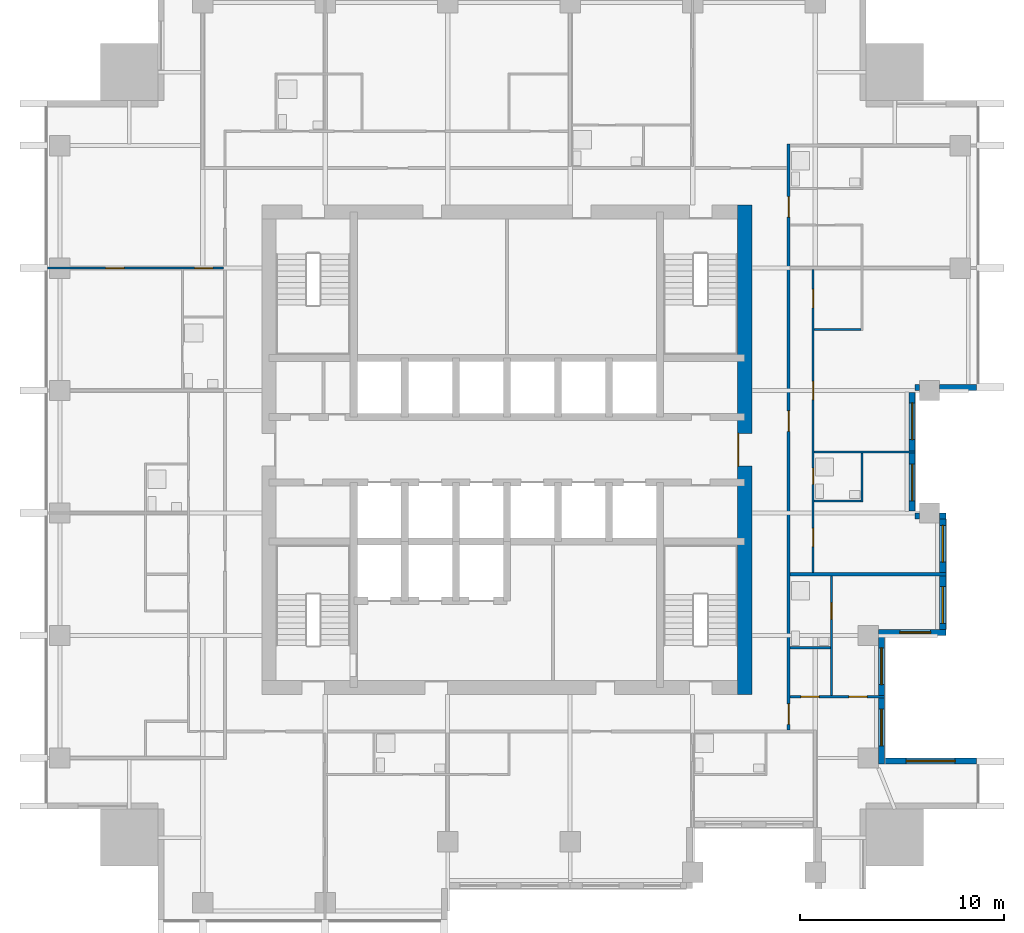
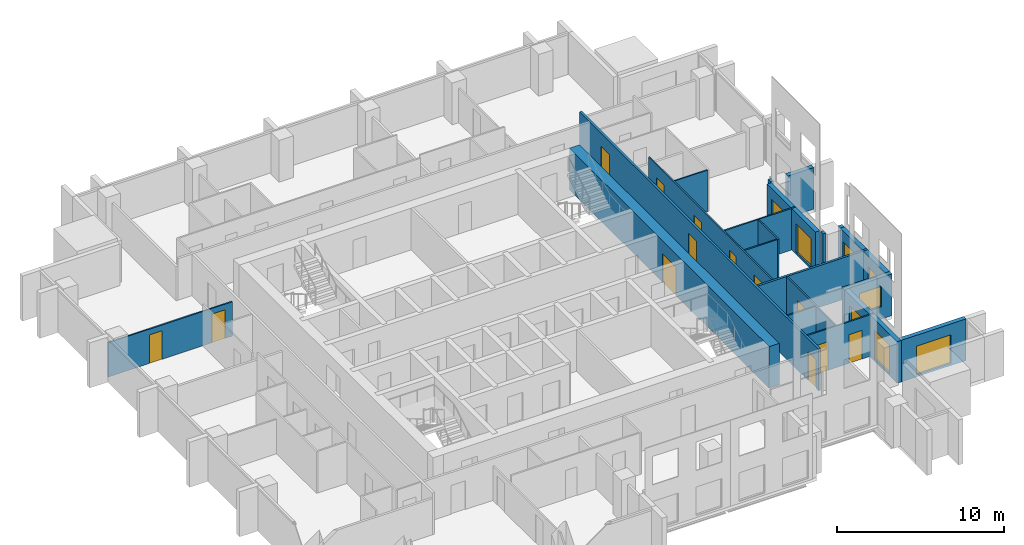
# One storey, part 6 of 11: 21 walls, 13 doors, 8 windows, 21 openings.
"""IFC4 building model written with IfcOpenShell, lengths in metres."""

from ifc_helpers import new_model, si_unit, direction, frame, frame_2d, origin, place, context, subcontext, project, spatial, rectangle, extrude, material, layer, layer_set, type_object, element, fill, save


model = new_model("IFC4")

# Units and contexts
model_context = context("Model", 3, precision=1e-05, world=origin(), true_north=direction((0.0, 1.0)))
body_context = subcontext(model_context, "Body", "Model", "MODEL_VIEW")
ifc_project = project(units=[si_unit("LENGTHUNIT", "METRE"), si_unit("AREAUNIT", "SQUARE_METRE"), si_unit("VOLUMEUNIT", "CUBIC_METRE"), si_unit("PLANEANGLEUNIT", "RADIAN"), si_unit("MASSUNIT", "GRAM", prefix="KILO")], contexts=[model_context])

# Site, building, storey
site_placement = place(None, origin())
site = spatial("IfcSite", under=ifc_project, at=site_placement, CompositionType="ELEMENT")
building_placement = place(site_placement, origin())
building = spatial("IfcBuilding", under=site, at=building_placement, Name="Amberfall Residences", CompositionType="ELEMENT")
storey_placement = place(building_placement, frame((0.0, 0.0, 143.800048828125)))
storey = spatial("IfcBuildingStorey", under=building, at=storey_placement, Name="L38", CompositionType="ELEMENT", Elevation=143.800048828125)

# Wall, opening, window
ifc_material_1 = material(Name="Pale stone cladding on insulated backing", Category="masonry")
ifc_layer_1 = layer(ifc_material_1, 0.300048828125)
ifc_layer_set_1 = layer_set([ifc_layer_1], Name="Bronze clad wall 300")
wall_type_1 = type_object("IfcWallType", Name="Bronze clad wall 300", PredefinedType="SOLIDWALL", material=ifc_layer_set_1)
wall_1_placement = place(storey_placement, frame((97.5, 30.25, 0.0), z_axis=(0.0, 0.0, 1.0), x_axis=(-1.0, 0.0, 0.0)))
wall_1 = element("IfcWall", 1, at=wall_1_placement, inside=storey, type_object=wall_type_1, Name="External wall L38 E", PredefinedType="SOLIDWALL", context=body_context, shape_type="SweptSolid", body=[
    extrude(rectangle(XDim=4.5, YDim=0.300048828125, at=frame_2d((2.25, 0.0))), origin(), (0.0, 0.0, 1.0), 3.050048828125),
])
opening_1_placement = place(wall_1_placement, frame((1.050048828125, 0.0, 0.14990234375)))
opening_1 = element("IfcOpeningElement", 2, at=opening_1_placement, cuts=wall_1, Name="Opening WN5", PredefinedType="OPENING", context=body_context, shape_type="SweptSolid", body=[
    extrude(rectangle(XDim=2.39990234375, YDim=2.10009765625, at=frame_2d((1.199951171875, 1.050048828125))), frame((0.0, 0.159912109375, 0.0), z_axis=(0.0, -1.0, 0.0), x_axis=(1.0, 0.0, 0.0)), (0.0, 0.0, 1.0), 0.320068359375),
])
ifc_material_2 = material(Name="Bronze aluminium framed glazing", Category="aluminium")
window_type_1 = type_object("IfcWindowType", Name="Glazed opening 2400 x 2100 bronze", PartitioningType="DOUBLE_PANEL_VERTICAL", PredefinedType="WINDOW", material=ifc_material_2)
window_1_placement = place(opening_1_placement, origin())
window_1 = element("IfcWindow", 3, at=window_1_placement, inside=storey, type_object=window_type_1, Name="Window L38 E", OverallHeight=2.10009765625, OverallWidth=2.39990234375, PartitioningType="DOUBLE_PANEL_VERTICAL", PredefinedType="WINDOW", context=body_context, shape_type="SweptSolid", body=[
    extrude(rectangle(XDim=2.39990234375, YDim=2.10009765625, at=frame_2d((1.199951171875, 1.050048828125))), frame((0.0, 0.030029296875, 0.0), z_axis=(0.0, -1.0, 0.0), x_axis=(1.0, 0.0, 0.0)), (0.0, 0.0, 1.0), 0.06005859375),
])
fill(opening_1, window_1)

wall_2_placement = place(storey_placement, frame((92.699951171875, 36.550048828125, 0.0), z_axis=(0.0, 0.0, 1.0), x_axis=(1.0, 0.0, 0.0)))
wall_2 = element("IfcWall", 4, at=wall_2_placement, inside=storey, type_object=wall_type_1, Name="External wall L38 E", PredefinedType="SOLIDWALL", context=body_context, shape_type="SweptSolid", body=[
    extrude(rectangle(XDim=3.300048828125, YDim=0.300048828125, at=frame_2d((1.64990234375, 0.0))), origin(), (0.0, 0.0, 1.0), 3.050048828125),
])
opening_2_placement = place(wall_2_placement, frame((1.050048828125, 0.0, 0.89990234375)))
opening_2 = element("IfcOpeningElement", 5, at=opening_2_placement, cuts=wall_2, Name="Opening WN1", PredefinedType="OPENING", context=body_context, shape_type="SweptSolid", body=[
    extrude(rectangle(XDim=1.5, YDim=1.5, at=frame_2d((0.75, 0.75))), frame((0.0, 0.159912109375, 0.0), z_axis=(0.0, -1.0, 0.0), x_axis=(1.0, 0.0, 0.0)), (0.0, 0.0, 1.0), 0.320068359375),
])
window_type_2 = type_object("IfcWindowType", Name="Window 1500 x 1500 bronze", PartitioningType="DOUBLE_PANEL_VERTICAL", PredefinedType="WINDOW", material=ifc_material_2)
window_2_placement = place(opening_2_placement, origin())
window_2 = element("IfcWindow", 6, at=window_2_placement, inside=storey, type_object=window_type_2, Name="Window L38 E", OverallHeight=1.5, OverallWidth=1.5, PartitioningType="DOUBLE_PANEL_VERTICAL", PredefinedType="WINDOW", context=body_context, shape_type="SweptSolid", body=[
    extrude(rectangle(XDim=1.5, YDim=1.5, at=frame_2d((0.75, 0.75))), frame((0.0, 0.030029296875, 0.0), z_axis=(0.0, -1.0, 0.0), x_axis=(1.0, 0.0, 0.0)), (0.0, 0.0, 1.0), 0.06005859375),
])
fill(opening_2, window_2)

# Walls
wall_3_placement = place(storey_placement, frame((96.0, 42.25, 0.0), z_axis=(0.0, 0.0, 1.0), x_axis=(-1.0, 0.0, 0.0)))
element("IfcWall", 7, at=wall_3_placement, inside=storey, type_object=wall_type_1, Name="External wall L38 E", PredefinedType="SOLIDWALL", context=body_context, shape_type="SweptSolid", body=[
    extrude(rectangle(XDim=0.300048828125, YDim=0.300048828125, at=frame_2d((0.14990234375, 0.0))), origin(), (0.0, 0.0, 1.0), 3.050048828125),
])
for number, where, z_axis, x_axis, name in (
    (8, (94.699951171875, 42.25, 0.0), (0.0, 0.0, 1.0), (-1.0, 0.0, 0.0), "External wall L38 E"),
    (9, (94.5, 48.550048828125, 0.0), (0.0, 0.0, 1.0), (1.0, 0.0, 0.0), "External wall L38 E"),
):
    element("IfcWall", number, at=place(storey_placement, frame(where, z_axis=z_axis, x_axis=x_axis)), inside=storey, type_object=wall_type_1, Name=name, PredefinedType="SOLIDWALL", context=body_context, shape_type="SweptSolid", body=[
        extrude(rectangle(XDim=0.199951171875, YDim=0.300048828125, at=frame_2d((0.10009765625, 0.0))), origin(), (0.0, 0.0, 1.0), 3.050048828125),
    ])
wall_4_placement = place(storey_placement, frame((95.699951171875, 48.550048828125, 0.0), z_axis=(0.0, 0.0, 1.0), x_axis=(1.0, 0.0, 0.0)))
element("IfcWall", 10, at=wall_4_placement, inside=storey, type_object=wall_type_1, Name="External wall L38 E", PredefinedType="SOLIDWALL", context=body_context, shape_type="SweptSolid", body=[
    extrude(rectangle(XDim=1.800048828125, YDim=0.300048828125, at=frame_2d((0.89990234375, 0.0))), origin(), (0.0, 0.0, 1.0), 3.050048828125),
])

# Wall, openings, windows
wall_5_placement = place(storey_placement, frame((92.85009765625, 30.10009765625, 0.0), z_axis=(0.0, 0.0, 1.0), x_axis=(0.0, 1.0, 0.0)))
wall_5 = element("IfcWall", 11, at=wall_5_placement, inside=storey, type_object=wall_type_1, Name="Stone wall L38 E", PredefinedType="SOLIDWALL", context=body_context, shape_type="SweptSolid", body=[
    extrude(rectangle(XDim=6.2998046875, YDim=0.300048828125, at=frame_2d((3.14990234375, 0.0))), origin(), (0.0, 0.0, 1.0), 3.050048828125),
])
opening_3_placement = place(wall_5_placement, frame((0.89990234375, 0.0, 0.14990234375)))
opening_3 = element("IfcOpeningElement", 12, at=opening_3_placement, cuts=wall_5, Name="Opening WN6", PredefinedType="OPENING", context=body_context, shape_type="SweptSolid", body=[
    extrude(rectangle(XDim=1.800048828125, YDim=2.10009765625, at=frame_2d((0.89990234375, 1.050048828125))), frame((0.0, 0.159912109375, 0.0), z_axis=(0.0, -1.0, 0.0), x_axis=(1.0, 0.0, 0.0)), (0.0, 0.0, 1.0), 0.320068359375),
])
opening_4_placement = place(wall_5_placement, frame((3.89990234375, 0.0, 0.14990234375)))
opening_4 = element("IfcOpeningElement", 13, at=opening_4_placement, cuts=wall_5, Name="Opening WN6", PredefinedType="OPENING", context=body_context, shape_type="SweptSolid", body=[
    extrude(rectangle(XDim=1.800048828125, YDim=2.10009765625, at=frame_2d((0.89990234375, 1.050048828125))), frame((0.0, 0.159912109375, 0.0), z_axis=(0.0, -1.0, 0.0), x_axis=(1.0, 0.0, 0.0)), (0.0, 0.0, 1.0), 0.320068359375),
])
window_type_3 = type_object("IfcWindowType", Name="Glazed opening 1800 x 2100 bronze", PartitioningType="DOUBLE_PANEL_VERTICAL", PredefinedType="WINDOW", material=ifc_material_2)
window_3_placement = place(opening_3_placement, origin())
window_3 = element("IfcWindow", 14, at=window_3_placement, inside=storey, type_object=window_type_3, Name="Window L38 E", OverallHeight=2.10009765625, OverallWidth=1.800048828125, PartitioningType="DOUBLE_PANEL_VERTICAL", PredefinedType="WINDOW", context=body_context, shape_type="SweptSolid", body=[
    extrude(rectangle(XDim=1.800048828125, YDim=2.10009765625, at=frame_2d((0.89990234375, 1.050048828125))), frame((0.0, 0.030029296875, 0.0), z_axis=(0.0, -1.0, 0.0), x_axis=(1.0, 0.0, 0.0)), (0.0, 0.0, 1.0), 0.06005859375),
])
fill(opening_3, window_3)
window_4_placement = place(opening_4_placement, origin())
window_4 = element("IfcWindow", 15, at=window_4_placement, inside=storey, type_object=window_type_3, Name="Window L38 E", OverallHeight=2.10009765625, OverallWidth=1.800048828125, PartitioningType="DOUBLE_PANEL_VERTICAL", PredefinedType="WINDOW", context=body_context, shape_type="SweptSolid", body=[
    extrude(rectangle(XDim=1.800048828125, YDim=2.10009765625, at=frame_2d((0.89990234375, 1.050048828125))), frame((0.0, 0.030029296875, 0.0), z_axis=(0.0, -1.0, 0.0), x_axis=(1.0, 0.0, 0.0)), (0.0, 0.0, 1.0), 0.06005859375),
])
fill(opening_4, window_4)

wall_6_placement = place(storey_placement, frame((95.85009765625, 36.699951171875, 0.0), z_axis=(0.0, 0.0, 1.0), x_axis=(0.0, 1.0, 0.0)))
wall_6 = element("IfcWall", 16, at=wall_6_placement, inside=storey, type_object=wall_type_1, Name="Stone wall L38 E", PredefinedType="SOLIDWALL", context=body_context, shape_type="SweptSolid", body=[
    extrude(rectangle(XDim=5.400146484375, YDim=0.300048828125, at=frame_2d((2.7001953125, 0.0))), origin(), (0.0, 0.0, 1.0), 3.050048828125),
])
opening_5_placement = place(wall_6_placement, frame((0.300048828125, 0.0, 0.14990234375)))
opening_5 = element("IfcOpeningElement", 17, at=opening_5_placement, cuts=wall_6, Name="Opening WN6", PredefinedType="OPENING", context=body_context, shape_type="SweptSolid", body=[
    extrude(rectangle(XDim=1.800048828125, YDim=2.10009765625, at=frame_2d((0.89990234375, 1.050048828125))), frame((0.0, 0.159912109375, 0.0), z_axis=(0.0, -1.0, 0.0), x_axis=(1.0, 0.0, 0.0)), (0.0, 0.0, 1.0), 0.320068359375),
])
opening_6_placement = place(wall_6_placement, frame((3.300048828125, 0.0, 0.14990234375)))
opening_6 = element("IfcOpeningElement", 18, at=opening_6_placement, cuts=wall_6, Name="Opening WN6", PredefinedType="OPENING", context=body_context, shape_type="SweptSolid", body=[
    extrude(rectangle(XDim=1.800048828125, YDim=2.10009765625, at=frame_2d((0.89990234375, 1.050048828125))), frame((0.0, 0.159912109375, 0.0), z_axis=(0.0, -1.0, 0.0), x_axis=(1.0, 0.0, 0.0)), (0.0, 0.0, 1.0), 0.320068359375),
])
window_5_placement = place(opening_5_placement, origin())
window_5 = element("IfcWindow", 19, at=window_5_placement, inside=storey, type_object=window_type_3, Name="Window L38 E", OverallHeight=2.10009765625, OverallWidth=1.800048828125, PartitioningType="DOUBLE_PANEL_VERTICAL", PredefinedType="WINDOW", context=body_context, shape_type="SweptSolid", body=[
    extrude(rectangle(XDim=1.800048828125, YDim=2.10009765625, at=frame_2d((0.89990234375, 1.050048828125))), frame((0.0, 0.030029296875, 0.0), z_axis=(0.0, -1.0, 0.0), x_axis=(1.0, 0.0, 0.0)), (0.0, 0.0, 1.0), 0.06005859375),
])
fill(opening_5, window_5)
window_6_placement = place(opening_6_placement, origin())
window_6 = element("IfcWindow", 20, at=window_6_placement, inside=storey, type_object=window_type_3, Name="Window L38 E", OverallHeight=2.10009765625, OverallWidth=1.800048828125, PartitioningType="DOUBLE_PANEL_VERTICAL", PredefinedType="WINDOW", context=body_context, shape_type="SweptSolid", body=[
    extrude(rectangle(XDim=1.800048828125, YDim=2.10009765625, at=frame_2d((0.89990234375, 1.050048828125))), frame((0.0, 0.030029296875, 0.0), z_axis=(0.0, -1.0, 0.0), x_axis=(1.0, 0.0, 0.0)), (0.0, 0.0, 1.0), 0.06005859375),
])
fill(opening_6, window_6)

wall_7_placement = place(storey_placement, frame((94.35009765625, 42.5, 0.0), z_axis=(0.0, 0.0, 1.0), x_axis=(0.0, 1.0, 0.0)))
wall_7 = element("IfcWall", 21, at=wall_7_placement, inside=storey, type_object=wall_type_1, Name="Stone wall L38 E", PredefinedType="SOLIDWALL", context=body_context, shape_type="SweptSolid", body=[
    extrude(rectangle(XDim=5.800048828125, YDim=0.300048828125, at=frame_2d((2.89990234375, 0.0))), origin(), (0.0, 0.0, 1.0), 3.050048828125),
])
opening_7_placement = place(wall_7_placement, frame((0.5, 0.0, 0.14990234375)))
opening_7 = element("IfcOpeningElement", 22, at=opening_7_placement, cuts=wall_7, Name="Opening WN6", PredefinedType="OPENING", context=body_context, shape_type="SweptSolid", body=[
    extrude(rectangle(XDim=1.800048828125, YDim=2.10009765625, at=frame_2d((0.89990234375, 1.050048828125))), frame((0.0, 0.159912109375, 0.0), z_axis=(0.0, -1.0, 0.0), x_axis=(1.0, 0.0, 0.0)), (0.0, 0.0, 1.0), 0.320068359375),
])
opening_8_placement = place(wall_7_placement, frame((3.5, 0.0, 0.14990234375)))
opening_8 = element("IfcOpeningElement", 23, at=opening_8_placement, cuts=wall_7, Name="Opening WN6", PredefinedType="OPENING", context=body_context, shape_type="SweptSolid", body=[
    extrude(rectangle(XDim=1.800048828125, YDim=2.10009765625, at=frame_2d((0.89990234375, 1.050048828125))), frame((0.0, 0.159912109375, 0.0), z_axis=(0.0, -1.0, 0.0), x_axis=(1.0, 0.0, 0.0)), (0.0, 0.0, 1.0), 0.320068359375),
])
window_7_placement = place(opening_7_placement, origin())
window_7 = element("IfcWindow", 24, at=window_7_placement, inside=storey, type_object=window_type_3, Name="Window L38 E", OverallHeight=2.10009765625, OverallWidth=1.800048828125, PartitioningType="DOUBLE_PANEL_VERTICAL", PredefinedType="WINDOW", context=body_context, shape_type="SweptSolid", body=[
    extrude(rectangle(XDim=1.800048828125, YDim=2.10009765625, at=frame_2d((0.89990234375, 1.050048828125))), frame((0.0, 0.030029296875, 0.0), z_axis=(0.0, -1.0, 0.0), x_axis=(1.0, 0.0, 0.0)), (0.0, 0.0, 1.0), 0.06005859375),
])
fill(opening_7, window_7)
window_8_placement = place(opening_8_placement, origin())
window_8 = element("IfcWindow", 25, at=window_8_placement, inside=storey, type_object=window_type_3, Name="Window L38 E", OverallHeight=2.10009765625, OverallWidth=1.800048828125, PartitioningType="DOUBLE_PANEL_VERTICAL", PredefinedType="WINDOW", context=body_context, shape_type="SweptSolid", body=[
    extrude(rectangle(XDim=1.800048828125, YDim=2.10009765625, at=frame_2d((0.89990234375, 1.050048828125))), frame((0.0, 0.030029296875, 0.0), z_axis=(0.0, -1.0, 0.0), x_axis=(1.0, 0.0, 0.0)), (0.0, 0.0, 1.0), 0.06005859375),
])
fill(opening_8, window_8)

# Wall, opening, door
ifc_material_3 = material(Name="Concrete C60", Category="concrete")
ifc_layer_2 = layer(ifc_material_3, 0.699951171875)
ifc_layer_set_2 = layer_set([ifc_layer_2], Name="Core wall 700 C60")
wall_type_2 = type_object("IfcWallType", Name="Core wall 700 C60", PredefinedType="SHEAR", material=ifc_layer_set_2)
wall_8_placement = place(storey_placement, frame((86.14990234375, 33.5, 0.0), z_axis=(0.0, 0.0, 1.0), x_axis=(0.0, 1.0, 0.0)))
wall_8 = element("IfcWall", 26, at=wall_8_placement, inside=storey, type_object=wall_type_2, Name="Core wall RW5 L38 OE", PredefinedType="SHEAR", context=body_context, shape_type="SweptSolid", body=[
    extrude(rectangle(XDim=24.0, YDim=0.699951171875, at=frame_2d((12.0, 0.0))), origin(), (0.0, 0.0, 1.0), 3.050048828125),
])
opening_9_placement = place(wall_8_placement, frame((11.199951171875, 0.0, 0.0)))
opening_9 = element("IfcOpeningElement", 27, at=opening_9_placement, cuts=wall_8, Name="Opening LB1", PredefinedType="OPENING", context=body_context, shape_type="SweptSolid", body=[
    extrude(rectangle(XDim=1.60009765625, YDim=2.10009765625, at=frame_2d((0.800048828125, 1.050048828125))), frame((0.0, 0.35986328125, 0.0), z_axis=(0.0, -1.0, 0.0), x_axis=(1.0, 0.0, 0.0)), (0.0, 0.0, 1.0), 0.719970703125),
])
ifc_material_4 = material(Name="Steel fire door set", Category="steel")
door_type_1 = type_object("IfcDoorType", Name="Lift lobby double door 1600 x 2100", OperationType="DOUBLE_DOOR_SINGLE_SWING", PredefinedType="DOOR", material=ifc_material_4)
door_1_placement = place(opening_9_placement, origin())
door_1 = element("IfcDoor", 28, at=door_1_placement, inside=storey, type_object=door_type_1, Name="LB1 L38", OperationType="DOUBLE_DOOR_SINGLE_SWING", OverallHeight=2.10009765625, OverallWidth=1.60009765625, PredefinedType="DOOR", context=body_context, shape_type="SweptSolid", body=[
    extrude(rectangle(XDim=1.60009765625, YDim=2.10009765625, at=frame_2d((0.800048828125, 1.050048828125))), frame((0.0, 0.33740234375, 0.0), z_axis=(0.0, -1.0, 0.0), x_axis=(1.0, 0.0, 0.0)), (0.0, 0.0, 1.0), 0.050048828125),
])
fill(opening_9, door_1)

# Wall, openings, doors
ifc_material_5 = material(Name="Gypsum board on metal stud")
ifc_layer_3 = layer(ifc_material_5, 0.10009765625)
ifc_layer_set_3 = layer_set([ifc_layer_3], Name="Flat partition 100")
wall_type_3 = type_object("IfcWallType", Name="Flat partition 100", PredefinedType="PARTITIONING", material=ifc_layer_set_3)
wall_9_placement = place(storey_placement, frame((89.5, 54.324951171875, 0.0), z_axis=(0.0, 0.0, 1.0), x_axis=(0.0, -1.0, 0.0)))
wall_9 = element("IfcWall", 29, at=wall_9_placement, inside=storey, type_object=wall_type_3, Name="Partition 017", PredefinedType="PARTITIONING", context=body_context, shape_type="SweptSolid", body=[
    extrude(rectangle(XDim=14.849853515625, YDim=0.10009765625, at=frame_2d((7.4248046875, 0.0))), origin(), (0.0, 0.0, 1.0), 3.050048828125),
])
opening_10_placement = place(wall_9_placement, frame((5.47509765625, 0.0, 0.0)))
opening_10 = element("IfcOpeningElement", 30, at=opening_10_placement, cuts=wall_9, Name="Opening D41", PredefinedType="OPENING", context=body_context, shape_type="SweptSolid", body=[
    extrude(rectangle(XDim=0.89990234375, YDim=2.10009765625, at=frame_2d((0.449951171875, 1.050048828125))), frame((0.0, 0.06005859375, 0.0), z_axis=(0.0, -1.0, 0.0), x_axis=(1.0, 0.0, 0.0)), (0.0, 0.0, 1.0), 0.1201171875),
])
opening_11_placement = place(wall_9_placement, frame((0.97509765625, 0.0, 0.0)))
opening_11 = element("IfcOpeningElement", 31, at=opening_11_placement, cuts=wall_9, Name="Opening D41", PredefinedType="OPENING", context=body_context, shape_type="SweptSolid", body=[
    extrude(rectangle(XDim=0.89990234375, YDim=2.10009765625, at=frame_2d((0.449951171875, 1.050048828125))), frame((0.0, 0.06005859375, 0.0), z_axis=(0.0, -1.0, 0.0), x_axis=(1.0, 0.0, 0.0)), (0.0, 0.0, 1.0), 0.1201171875),
])
opening_12_placement = place(wall_9_placement, frame((12.675048828125, 0.0, 0.0)))
opening_12 = element("IfcOpeningElement", 32, at=opening_12_placement, cuts=wall_9, Name="Opening D41", PredefinedType="OPENING", context=body_context, shape_type="SweptSolid", body=[
    extrude(rectangle(XDim=0.89990234375, YDim=2.10009765625, at=frame_2d((0.449951171875, 1.050048828125))), frame((0.0, 0.06005859375, 0.0), z_axis=(0.0, -1.0, 0.0), x_axis=(1.0, 0.0, 0.0)), (0.0, 0.0, 1.0), 0.1201171875),
])
opening_13_placement = place(wall_9_placement, frame((9.72509765625, 0.0, 0.0)))
opening_13 = element("IfcOpeningElement", 33, at=opening_13_placement, cuts=wall_9, Name="Opening D42", PredefinedType="OPENING", context=body_context, shape_type="SweptSolid", body=[
    extrude(rectangle(XDim=0.800048828125, YDim=2.10009765625, at=frame_2d((0.39990234375, 1.050048828125))), frame((0.0, 0.06005859375, 0.0), z_axis=(0.0, -1.0, 0.0), x_axis=(1.0, 0.0, 0.0)), (0.0, 0.0, 1.0), 0.1201171875),
])
ifc_material_6 = material(Name="Timber", Category="wood")
door_type_2 = type_object("IfcDoorType", Name="Bathroom door 800 x 2100", OperationType="SINGLE_SWING_LEFT", PredefinedType="DOOR", material=ifc_material_6)
door_2_placement = place(opening_13_placement, origin())
door_2 = element("IfcDoor", 34, at=door_2_placement, inside=storey, type_object=door_type_2, Name="Door 3804 bath1", OperationType="SINGLE_SWING_LEFT", OverallHeight=2.10009765625, OverallWidth=0.800048828125, PredefinedType="DOOR", context=body_context, shape_type="SweptSolid", body=[
    extrude(rectangle(XDim=0.800048828125, YDim=2.10009765625, at=frame_2d((0.39990234375, 1.050048828125))), frame((0.0, 0.02490234375, 0.0), z_axis=(0.0, -1.0, 0.0), x_axis=(1.0, 0.0, 0.0)), (0.0, 0.0, 1.0), 0.050048828125),
])
fill(opening_13, door_2)
door_type_3 = type_object("IfcDoorType", Name="Internal door 900 x 2100", OperationType="SINGLE_SWING_LEFT", PredefinedType="DOOR", material=ifc_material_6)
door_3_placement = place(opening_10_placement, origin())
door_3 = element("IfcDoor", 35, at=door_3_placement, inside=storey, type_object=door_type_3, Name="Door 3804 living", OperationType="SINGLE_SWING_LEFT", OverallHeight=2.10009765625, OverallWidth=0.89990234375, PredefinedType="DOOR", context=body_context, shape_type="SweptSolid", body=[
    extrude(rectangle(XDim=0.89990234375, YDim=2.10009765625, at=frame_2d((0.449951171875, 1.050048828125))), frame((0.0, 0.02490234375, 0.0), z_axis=(0.0, -1.0, 0.0), x_axis=(1.0, 0.0, 0.0)), (0.0, 0.0, 1.0), 0.050048828125),
])
fill(opening_10, door_3)
door_4_placement = place(opening_11_placement, origin())
door_4 = element("IfcDoor", 36, at=door_4_placement, inside=storey, type_object=door_type_3, Name="Door 3804 kitchen", OperationType="SINGLE_SWING_LEFT", OverallHeight=2.10009765625, OverallWidth=0.89990234375, PredefinedType="DOOR", context=body_context, shape_type="SweptSolid", body=[
    extrude(rectangle(XDim=0.89990234375, YDim=2.10009765625, at=frame_2d((0.449951171875, 1.050048828125))), frame((0.0, 0.02490234375, 0.0), z_axis=(0.0, -1.0, 0.0), x_axis=(1.0, 0.0, 0.0)), (0.0, 0.0, 1.0), 0.050048828125),
])
fill(opening_11, door_4)
door_5_placement = place(opening_12_placement, origin())
door_5 = element("IfcDoor", 37, at=door_5_placement, inside=storey, type_object=door_type_3, Name="Door 3804 bedroom1", OperationType="SINGLE_SWING_LEFT", OverallHeight=2.10009765625, OverallWidth=0.89990234375, PredefinedType="DOOR", context=body_context, shape_type="SweptSolid", body=[
    extrude(rectangle(XDim=0.89990234375, YDim=2.10009765625, at=frame_2d((0.449951171875, 1.050048828125))), frame((0.0, 0.02490234375, 0.0), z_axis=(0.0, -1.0, 0.0), x_axis=(1.0, 0.0, 0.0)), (0.0, 0.0, 1.0), 0.050048828125),
])
fill(opening_12, door_5)

# Wall, opening, door
wall_10_placement = place(storey_placement, frame((90.39990234375, 33.449951171875, 0.0), z_axis=(0.0, 0.0, 1.0), x_axis=(0.0, 1.0, 0.0)))
wall_10 = element("IfcWall", 38, at=wall_10_placement, inside=storey, type_object=wall_type_3, Name="Partition 018", PredefinedType="PARTITIONING", context=body_context, shape_type="SweptSolid", body=[
    extrude(rectangle(XDim=5.875, YDim=0.10009765625, at=frame_2d((2.9375, 0.0))), origin(), (0.0, 0.0, 1.0), 3.050048828125),
])
opening_14_placement = place(wall_10_placement, frame((3.75, 0.0, 0.0)))
opening_14 = element("IfcOpeningElement", 39, at=opening_14_placement, cuts=wall_10, Name="Opening D42", PredefinedType="OPENING", context=body_context, shape_type="SweptSolid", body=[
    extrude(rectangle(XDim=0.800048828125, YDim=2.10009765625, at=frame_2d((0.39990234375, 1.050048828125))), frame((0.0, 0.06005859375, 0.0), z_axis=(0.0, -1.0, 0.0), x_axis=(1.0, 0.0, 0.0)), (0.0, 0.0, 1.0), 0.1201171875),
])
door_6_placement = place(opening_14_placement, origin())
door_6 = element("IfcDoor", 40, at=door_6_placement, inside=storey, type_object=door_type_2, Name="Door 3803 bath1", OperationType="SINGLE_SWING_LEFT", OverallHeight=2.10009765625, OverallWidth=0.800048828125, PredefinedType="DOOR", context=body_context, shape_type="SweptSolid", body=[
    extrude(rectangle(XDim=0.800048828125, YDim=2.10009765625, at=frame_2d((0.39990234375, 1.050048828125))), frame((0.0, 0.02490234375, 0.0), z_axis=(0.0, -1.0, 0.0), x_axis=(1.0, 0.0, 0.0)), (0.0, 0.0, 1.0), 0.050048828125),
])
fill(opening_14, door_6)

# Wall
wall_11_placement = place(storey_placement, frame((91.89990234375, 42.949951171875, 0.0), z_axis=(0.0, 0.0, 1.0), x_axis=(0.0, 1.0, 0.0)))
element("IfcWall", 41, at=wall_11_placement, inside=storey, type_object=wall_type_3, Name="Partition 019", PredefinedType="PARTITIONING", context=body_context, shape_type="SweptSolid", body=[
    extrude(rectangle(XDim=2.400146484375, YDim=0.10009765625, at=frame_2d((1.2001953125, 0.0))), origin(), (0.0, 0.0, 1.0), 3.050048828125),
])

# Wall, openings, doors
wall_12_placement = place(storey_placement, frame((60.625, 54.39990234375, 0.0), z_axis=(0.0, 0.0, 1.0), x_axis=(-1.0, 0.0, 0.0)))
wall_12 = element("IfcWall", 42, at=wall_12_placement, inside=storey, type_object=wall_type_3, Name="Partition 028", PredefinedType="PARTITIONING", context=body_context, shape_type="SweptSolid", body=[
    extrude(rectangle(XDim=8.625, YDim=0.10009765625, at=frame_2d((4.3125, 0.0))), origin(), (0.0, 0.0, 1.0), 2.515869140625),
])
opening_15_placement = place(wall_12_placement, frame((0.52490234375, 0.0, 0.0)))
opening_15 = element("IfcOpeningElement", 43, at=opening_15_placement, cuts=wall_12, Name="Opening D41", PredefinedType="OPENING", context=body_context, shape_type="SweptSolid", body=[
    extrude(rectangle(XDim=0.89990234375, YDim=2.10009765625, at=frame_2d((0.449951171875, 1.050048828125))), frame((0.0, 0.06005859375, 0.0), z_axis=(0.0, -1.0, 0.0), x_axis=(1.0, 0.0, 0.0)), (0.0, 0.0, 1.0), 0.1201171875),
])
opening_16_placement = place(wall_12_placement, frame((4.875, 0.0, 0.0)))
opening_16 = element("IfcOpeningElement", 44, at=opening_16_placement, cuts=wall_12, Name="Opening D41", PredefinedType="OPENING", context=body_context, shape_type="SweptSolid", body=[
    extrude(rectangle(XDim=0.89990234375, YDim=2.10009765625, at=frame_2d((0.449951171875, 1.050048828125))), frame((0.0, 0.06005859375, 0.0), z_axis=(0.0, -1.0, 0.0), x_axis=(1.0, 0.0, 0.0)), (0.0, 0.0, 1.0), 0.1201171875),
])
door_7_placement = place(opening_15_placement, origin())
door_7 = element("IfcDoor", 45, at=door_7_placement, inside=storey, type_object=door_type_3, Name="Door 3809 kitchen", OperationType="SINGLE_SWING_LEFT", OverallHeight=2.10009765625, OverallWidth=0.89990234375, PredefinedType="DOOR", context=body_context, shape_type="SweptSolid", body=[
    extrude(rectangle(XDim=0.89990234375, YDim=2.10009765625, at=frame_2d((0.449951171875, 1.050048828125))), frame((0.0, 0.02490234375, 0.0), z_axis=(0.0, -1.0, 0.0), x_axis=(1.0, 0.0, 0.0)), (0.0, 0.0, 1.0), 0.050048828125),
])
fill(opening_15, door_7)
door_8_placement = place(opening_16_placement, origin())
door_8 = element("IfcDoor", 46, at=door_8_placement, inside=storey, type_object=door_type_3, Name="Door 3809 bedroom1", OperationType="SINGLE_SWING_LEFT", OverallHeight=2.10009765625, OverallWidth=0.89990234375, PredefinedType="DOOR", context=body_context, shape_type="SweptSolid", body=[
    extrude(rectangle(XDim=0.89990234375, YDim=2.10009765625, at=frame_2d((0.449951171875, 1.050048828125))), frame((0.0, 0.02490234375, 0.0), z_axis=(0.0, -1.0, 0.0), x_axis=(1.0, 0.0, 0.0)), (0.0, 0.0, 1.0), 0.050048828125),
])
fill(opening_16, door_8)

# Walls
wall_13_placement = place(storey_placement, frame((89.550048828125, 51.39990234375, 0.0), z_axis=(0.0, 0.0, 1.0), x_axis=(1.0, 0.0, 0.0)))
element("IfcWall", 47, at=wall_13_placement, inside=storey, type_object=wall_type_3, Name="Partition 030", PredefinedType="PARTITIONING", context=body_context, shape_type="SweptSolid", body=[
    extrude(rectangle(XDim=2.300048828125, YDim=0.10009765625, at=frame_2d((1.14990234375, 0.0))), origin(), (0.0, 0.0, 1.0), 3.050048828125),
])
wall_14_placement = place(storey_placement, frame((89.550048828125, 45.39990234375, 0.0), z_axis=(0.0, 0.0, 1.0), x_axis=(1.0, 0.0, 0.0)))
element("IfcWall", 48, at=wall_14_placement, inside=storey, type_object=wall_type_3, Name="Partition 031", PredefinedType="PARTITIONING", context=body_context, shape_type="SweptSolid", body=[
    extrude(rectangle(XDim=4.949951171875, YDim=0.10009765625, at=frame_2d((2.47509765625, 0.0))), origin(), (0.0, 0.0, 1.0), 3.050048828125),
])
wall_15_placement = place(storey_placement, frame((89.550048828125, 43.0, 0.0), z_axis=(0.0, 0.0, 1.0), x_axis=(1.0, 0.0, 0.0)))
element("IfcWall", 49, at=wall_15_placement, inside=storey, type_object=wall_type_3, Name="Partition 033", PredefinedType="PARTITIONING", context=body_context, shape_type="SweptSolid", body=[
    extrude(rectangle(XDim=2.300048828125, YDim=0.10009765625, at=frame_2d((1.14990234375, 0.0))), origin(), (0.0, 0.0, 1.0), 3.050048828125),
])
wall_16_placement = place(storey_placement, frame((88.375, 35.800048828125, 0.0), z_axis=(0.0, 0.0, 1.0), x_axis=(1.0, 0.0, 0.0)))
element("IfcWall", 50, at=wall_16_placement, inside=storey, type_object=wall_type_3, Name="Partition 037", PredefinedType="PARTITIONING", context=body_context, shape_type="SweptSolid", body=[
    extrude(rectangle(XDim=1.97509765625, YDim=0.10009765625, at=frame_2d((0.987548828125, 0.0))), origin(), (0.0, 0.0, 1.0), 3.050048828125),
])

# Wall, openings, doors
wall_17_placement = place(storey_placement, frame((88.375, 33.39990234375, 0.0), z_axis=(0.0, 0.0, 1.0), x_axis=(1.0, 0.0, 0.0)))
wall_17 = element("IfcWall", 51, at=wall_17_placement, inside=storey, type_object=wall_type_3, Name="Partition 038", PredefinedType="PARTITIONING", context=body_context, shape_type="SweptSolid", body=[
    extrude(rectangle(XDim=4.625, YDim=0.10009765625, at=frame_2d((2.3125, 0.0))), origin(), (0.0, 0.0, 1.0), 3.050048828125),
])
opening_17_placement = place(wall_17_placement, frame((0.52490234375, 0.0, 0.0)))
opening_17 = element("IfcOpeningElement", 52, at=opening_17_placement, cuts=wall_17, Name="Opening D41", PredefinedType="OPENING", context=body_context, shape_type="SweptSolid", body=[
    extrude(rectangle(XDim=0.89990234375, YDim=2.10009765625, at=frame_2d((0.449951171875, 1.050048828125))), frame((0.0, 0.06005859375, 0.0), z_axis=(0.0, -1.0, 0.0), x_axis=(1.0, 0.0, 0.0)), (0.0, 0.0, 1.0), 0.1201171875),
])
opening_18_placement = place(wall_17_placement, frame((2.875, 0.0, 0.0)))
opening_18 = element("IfcOpeningElement", 53, at=opening_18_placement, cuts=wall_17, Name="Opening D41", PredefinedType="OPENING", context=body_context, shape_type="SweptSolid", body=[
    extrude(rectangle(XDim=0.89990234375, YDim=2.10009765625, at=frame_2d((0.449951171875, 1.050048828125))), frame((0.0, 0.06005859375, 0.0), z_axis=(0.0, -1.0, 0.0), x_axis=(1.0, 0.0, 0.0)), (0.0, 0.0, 1.0), 0.1201171875),
])
door_9_placement = place(opening_17_placement, origin())
door_9 = element("IfcDoor", 54, at=door_9_placement, inside=storey, type_object=door_type_3, Name="Door 3803 kitchen", OperationType="SINGLE_SWING_LEFT", OverallHeight=2.10009765625, OverallWidth=0.89990234375, PredefinedType="DOOR", context=body_context, shape_type="SweptSolid", body=[
    extrude(rectangle(XDim=0.89990234375, YDim=2.10009765625, at=frame_2d((0.449951171875, 1.050048828125))), frame((0.0, 0.02490234375, 0.0), z_axis=(0.0, -1.0, 0.0), x_axis=(1.0, 0.0, 0.0)), (0.0, 0.0, 1.0), 0.050048828125),
])
fill(opening_17, door_9)
door_10_placement = place(opening_18_placement, origin())
door_10 = element("IfcDoor", 55, at=door_10_placement, inside=storey, type_object=door_type_3, Name="Door 3803 bedroom1", OperationType="SINGLE_SWING_LEFT", OverallHeight=2.10009765625, OverallWidth=0.89990234375, PredefinedType="DOOR", context=body_context, shape_type="SweptSolid", body=[
    extrude(rectangle(XDim=0.89990234375, YDim=2.10009765625, at=frame_2d((0.449951171875, 1.050048828125))), frame((0.0, 0.02490234375, 0.0), z_axis=(0.0, -1.0, 0.0), x_axis=(1.0, 0.0, 0.0)), (0.0, 0.0, 1.0), 0.050048828125),
])
fill(opening_18, door_10)

ifc_material_7 = material(Name="Blockwork, plastered", Category="masonry")
ifc_layer_4 = layer(ifc_material_7, 0.14990234375)
ifc_layer_set_4 = layer_set([ifc_layer_4], Name="Flat separating wall 150")
wall_type_4 = type_object("IfcWallType", Name="Flat separating wall 150", PredefinedType="PARTITIONING", material=ifc_layer_set_4)
wall_18_placement = place(storey_placement, frame((88.300048828125, 60.47509765625, 0.0), z_axis=(0.0, 0.0, 1.0), x_axis=(0.0, -1.0, 0.0)))
wall_18 = element("IfcWall", 56, at=wall_18_placement, inside=storey, type_object=wall_type_4, Name="Separating wall 047", PredefinedType="PARTITIONING", context=body_context, shape_type="SweptSolid", body=[
    extrude(rectangle(XDim=28.7001953125, YDim=0.14990234375, at=frame_2d((14.35009765625, 0.0))), origin(), (0.0, 0.0, 1.0), 3.050048828125),
])
opening_19_placement = place(wall_18_placement, frame((27.425048828125, 0.0, 0.0)))
opening_19 = element("IfcOpeningElement", 57, at=opening_19_placement, cuts=wall_18, Name="Opening D40", PredefinedType="OPENING", context=body_context, shape_type="SweptSolid", body=[
    extrude(rectangle(XDim=1.0, YDim=2.10009765625, at=frame_2d((0.5, 1.050048828125))), frame((0.0, 0.0849609375, 0.0), z_axis=(0.0, -1.0, 0.0), x_axis=(1.0, 0.0, 0.0)), (0.0, 0.0, 1.0), 0.169921875),
])
opening_20_placement = place(wall_18_placement, frame((13.074951171875, 0.0, 0.0)))
opening_20 = element("IfcOpeningElement", 58, at=opening_20_placement, cuts=wall_18, Name="Opening D40", PredefinedType="OPENING", context=body_context, shape_type="SweptSolid", body=[
    extrude(rectangle(XDim=1.0, YDim=2.10009765625, at=frame_2d((0.5, 1.050048828125))), frame((0.0, 0.0849609375, 0.0), z_axis=(0.0, -1.0, 0.0), x_axis=(1.0, 0.0, 0.0)), (0.0, 0.0, 1.0), 0.169921875),
])
opening_21_placement = place(wall_18_placement, frame((2.574951171875, 0.0, 0.0)))
opening_21 = element("IfcOpeningElement", 59, at=opening_21_placement, cuts=wall_18, Name="Opening D40", PredefinedType="OPENING", context=body_context, shape_type="SweptSolid", body=[
    extrude(rectangle(XDim=1.0, YDim=2.10009765625, at=frame_2d((0.5, 1.050048828125))), frame((0.0, 0.0849609375, 0.0), z_axis=(0.0, -1.0, 0.0), x_axis=(1.0, 0.0, 0.0)), (0.0, 0.0, 1.0), 0.169921875),
])
ifc_material_8 = material(Name="Timber, fire-rated", Category="wood")
door_type_4 = type_object("IfcDoorType", Name="Flat entrance door FD60 1000 x 2100", OperationType="SINGLE_SWING_LEFT", PredefinedType="DOOR", material=ifc_material_8)
door_11_placement = place(opening_19_placement, origin())
door_11 = element("IfcDoor", 60, at=door_11_placement, inside=storey, type_object=door_type_4, Name="Door 3803 entrance", OperationType="SINGLE_SWING_LEFT", OverallHeight=2.10009765625, OverallWidth=1.0, PredefinedType="DOOR", context=body_context, shape_type="SweptSolid", body=[
    extrude(rectangle(XDim=1.0, YDim=2.10009765625, at=frame_2d((0.5, 1.050048828125))), frame((0.0, 0.02490234375, 0.0), z_axis=(0.0, -1.0, 0.0), x_axis=(1.0, 0.0, 0.0)), (0.0, 0.0, 1.0), 0.050048828125),
])
fill(opening_19, door_11)
door_12_placement = place(opening_20_placement, origin())
door_12 = element("IfcDoor", 61, at=door_12_placement, inside=storey, type_object=door_type_4, Name="Door 3804 entrance", OperationType="SINGLE_SWING_LEFT", OverallHeight=2.10009765625, OverallWidth=1.0, PredefinedType="DOOR", context=body_context, shape_type="SweptSolid", body=[
    extrude(rectangle(XDim=1.0, YDim=2.10009765625, at=frame_2d((0.5, 1.050048828125))), frame((0.0, 0.02490234375, 0.0), z_axis=(0.0, -1.0, 0.0), x_axis=(1.0, 0.0, 0.0)), (0.0, 0.0, 1.0), 0.050048828125),
])
fill(opening_20, door_12)
door_13_placement = place(opening_21_placement, origin())
door_13 = element("IfcDoor", 62, at=door_13_placement, inside=storey, type_object=door_type_4, Name="Door 3805 entrance", OperationType="SINGLE_SWING_LEFT", OverallHeight=2.10009765625, OverallWidth=1.0, PredefinedType="DOOR", context=body_context, shape_type="SweptSolid", body=[
    extrude(rectangle(XDim=1.0, YDim=2.10009765625, at=frame_2d((0.5, 1.050048828125))), frame((0.0, 0.02490234375, 0.0), z_axis=(0.0, -1.0, 0.0), x_axis=(1.0, 0.0, 0.0)), (0.0, 0.0, 1.0), 0.050048828125),
])
fill(opening_21, door_13)

# Wall
wall_19_placement = place(storey_placement, frame((88.375, 39.39990234375, 0.0), z_axis=(0.0, 0.0, 1.0), x_axis=(1.0, 0.0, 0.0)))
element("IfcWall", 63, at=wall_19_placement, inside=storey, type_object=wall_type_4, Name="Separating wall 053", PredefinedType="PARTITIONING", context=body_context, shape_type="SweptSolid", body=[
    extrude(rectangle(XDim=7.625, YDim=0.14990234375, at=frame_2d((3.8125, 0.0))), origin(), (0.0, 0.0, 1.0), 3.050048828125),
])

save(model, "model.ifc")
